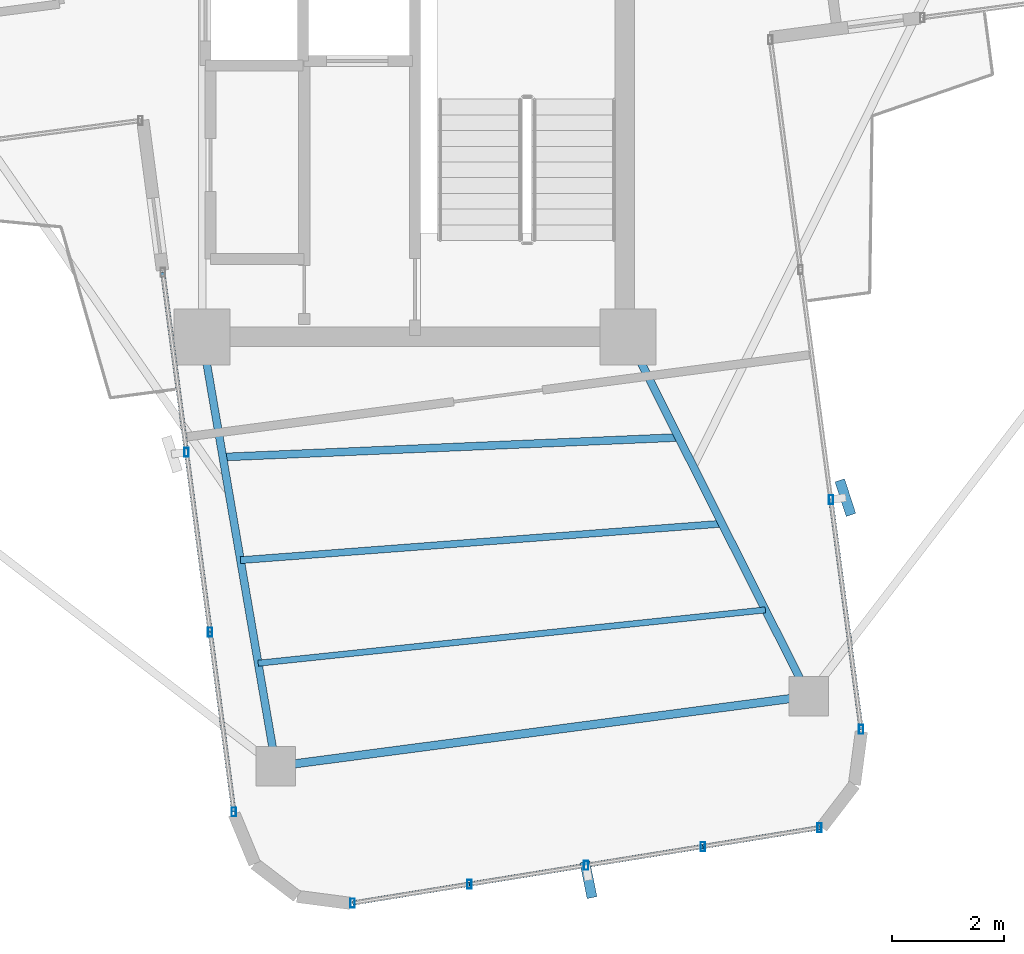
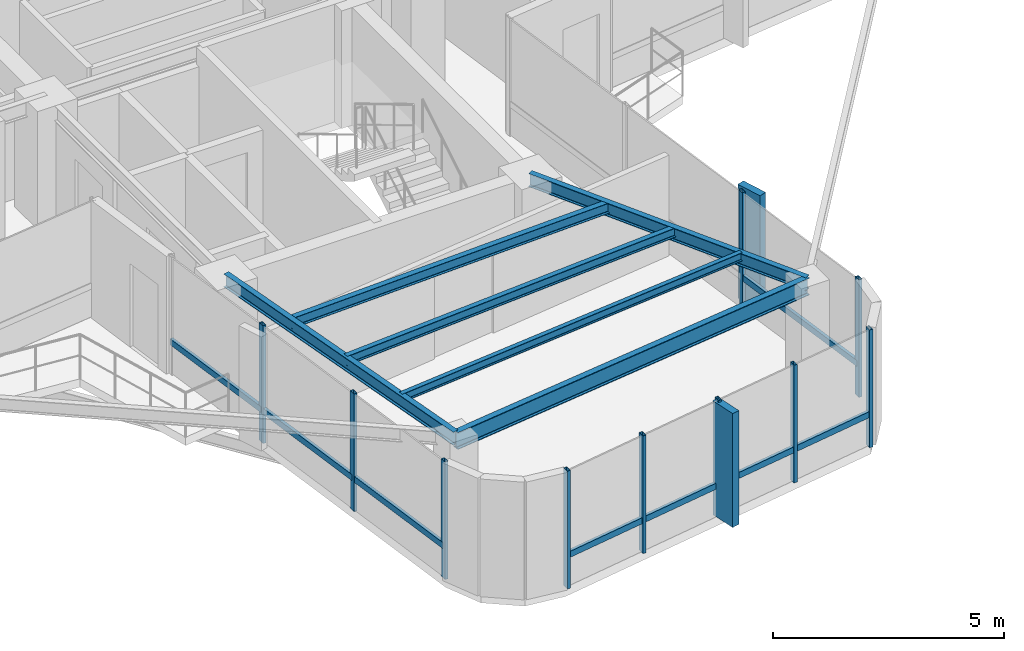
# One storey, part 4 of 21: 20 members, 6 beams, 3 elements without a shape of their own.
"""IFC4 building model written with IfcOpenShell, lengths in metres."""

from ifc_helpers import new_model, si_unit, direction, frame, origin, origin_2d, place, context, subcontext, project, spatial, rectangle, hollow_rectangle, i_section, extrude, source, transform, mapped, material, material_profile, profile_set, type_object, element, aggregate, save


model = new_model("IFC4")

# Units and contexts
model_context = context("Model", 3, precision=1e-05, world=origin(), true_north=direction((0.0, 1.0)))
body_context = subcontext(model_context, "Body", "Model", "MODEL_VIEW")
ifc_project = project(units=[si_unit("LENGTHUNIT", "METRE"), si_unit("AREAUNIT", "SQUARE_METRE"), si_unit("VOLUMEUNIT", "CUBIC_METRE"), si_unit("PLANEANGLEUNIT", "RADIAN"), si_unit("MASSUNIT", "GRAM", prefix="KILO")], contexts=[model_context])

# Site, building, storey
site_placement = place(None, origin())
site = spatial("IfcSite", under=ifc_project, at=site_placement, CompositionType="ELEMENT")
building_placement = place(site_placement, origin())
building = spatial("IfcBuilding", under=site, at=building_placement, Name="Sahyath Konkavel Grand Hotel", CompositionType="ELEMENT")
storey_placement = place(building_placement, frame((0.0, 0.0, 219.89990234375)))
storey = spatial("IfcBuildingStorey", under=building, at=storey_placement, Name="L61", CompositionType="ELEMENT", Elevation=219.89990234375)

# Beams
ifc_material_1 = material(Name="Steel E350", Category="steel")
ifc_material_profile_1 = material_profile(ifc_material_1, i_section(OverallWidth=0.139892578125, OverallDepth=0.35009765625, WebThickness=0.008056640625, FlangeThickness=0.01416015625, FilletRadius=0.013916015625, at=origin_2d()), Name="ISMB 350")
ifc_profile_set_1 = profile_set([ifc_material_profile_1], Name="Steel E350")
beam_type_1 = type_object("IfcBeamType", Name="BM-ISMB350", PredefinedType="BEAM", material=ifc_profile_set_1)
shared_shape_1 = source(origin(), body_context, "Body", "SweptSolid", [
    extrude(i_section(OverallWidth=0.139892578125, OverallDepth=0.35009765625, WebThickness=0.008056640625, FlangeThickness=0.01416015625, FilletRadius=0.013916015625, at=origin_2d()), origin(), (0.0, 0.0, 1.0), 7.776123046875),
])
beam_1_placement = place(storey_placement, frame((-3.800048828125, -10.199951171875, 2.93505859375), z_axis=(0.169035270731, -0.985610002612, 0.0), x_axis=(0.985610002612, 0.169035270731, 0.0)))
element("IfcBeam", 1, at=beam_1_placement, inside=storey, type_object=beam_type_1, Name="L61 Cruciform Radial Girder SA", PredefinedType="BEAM", context=body_context, shape_type="MappedRepresentation", body=[
    mapped(shared_shape_1, transform((0.0, 0.0, 0.0), scale=1.0)),
])
shared_shape_2 = source(origin(), body_context, "Body", "SweptSolid", [
    extrude(i_section(OverallWidth=0.139892578125, OverallDepth=0.35009765625, WebThickness=0.008056640625, FlangeThickness=0.01416015625, FilletRadius=0.013916015625, at=origin_2d()), origin(), (0.0, 0.0, 1.0), 7.177490234375),
])
beam_2_placement = place(storey_placement, frame((3.800048828125, -10.199951171875, 2.93505859375), z_axis=(0.449239757203, -0.893411238203, 0.0), x_axis=(0.893411238203, 0.449239757203, 0.0)))
element("IfcBeam", 2, at=beam_2_placement, inside=storey, type_object=beam_type_1, Name="L61 Cruciform Radial Girder SB", PredefinedType="BEAM", context=body_context, shape_type="MappedRepresentation", body=[
    mapped(shared_shape_2, transform((0.0, 0.0, 0.0), scale=1.0)),
])
ifc_material_profile_2 = material_profile(ifc_material_1, i_section(OverallWidth=0.14990234375, OverallDepth=0.449951171875, WebThickness=0.009521484375, FlangeThickness=0.017333984375, FilletRadius=0.014892578125, at=origin_2d()), Name="ISMB 450")
ifc_profile_set_2 = profile_set([ifc_material_profile_2], Name="Steel E350")
beam_type_2 = type_object("IfcBeamType", Name="BM-ISMB450", PredefinedType="BEAM", material=ifc_profile_set_2)
shared_shape_3 = source(origin(), body_context, "Body", "SweptSolid", [
    extrude(i_section(OverallWidth=0.14990234375, OverallDepth=0.449951171875, WebThickness=0.009521484375, FlangeThickness=0.017333984375, FilletRadius=0.014892578125, at=origin_2d()), origin(), (0.0, 0.0, 1.0), 9.592041015625),
])
beam_3_placement = place(storey_placement, frame((-2.485595703125, -17.8642578125, 2.885009765625), z_axis=(0.991445716873, 0.130519693891, 0.0), x_axis=(-0.130519693891, 0.991445716873, 0.0)))
element("IfcBeam", 3, at=beam_3_placement, inside=storey, type_object=beam_type_2, Name="L61 Wing Tip Edge Beam S", PredefinedType="BEAM", context=body_context, shape_type="MappedRepresentation", body=[
    mapped(shared_shape_3, transform((0.0, 0.0, 0.0), scale=1.0)),
])
ifc_material_profile_3 = material_profile(ifc_material_1, i_section(OverallWidth=0.139892578125, OverallDepth=0.27490234375, WebThickness=0.00634765625, FlangeThickness=0.0087890625, FilletRadius=0.012939453125, at=origin_2d()), Name="ISLB 275")
ifc_profile_set_3 = profile_set([ifc_material_profile_3], Name="Steel E350")
beam_type_3 = type_object("IfcBeamType", Name="BM-ISLB275", PredefinedType="BEAM", material=ifc_profile_set_3)
shared_shape_4 = source(origin(), body_context, "Body", "SweptSolid", [
    extrude(i_section(OverallWidth=0.139892578125, OverallDepth=0.27490234375, WebThickness=0.00634765625, FlangeThickness=0.0087890625, FilletRadius=0.012939453125, at=origin_2d()), origin(), (0.0, 0.0, 1.0), 8.142333984375),
])
beam_4_placement = place(storey_placement, frame((-3.431884765625, -12.345947265625, 2.97265625), z_axis=(0.999072605687, 0.043057270761, 0.0), x_axis=(-0.043057270761, 0.999072605687, 0.0)))
element("IfcBeam", 4, at=beam_4_placement, inside=storey, type_object=beam_type_3, Name="L61 Secondary Floor Beam S-1", PredefinedType="BEAM", context=body_context, shape_type="MappedRepresentation", body=[
    mapped(shared_shape_4, transform((0.0, 0.0, 0.0), scale=1.0)),
])
ifc_material_profile_4 = material_profile(ifc_material_1, i_section(OverallWidth=0.125, OverallDepth=0.25, WebThickness=0.0068359375, FlangeThickness=0.012451171875, FilletRadius=0.012939453125, at=origin_2d()), Name="ISMB 250")
ifc_profile_set_4 = profile_set([ifc_material_profile_4], Name="Steel E350")
beam_type_4 = type_object("IfcBeamType", Name="BM-ISMB250", PredefinedType="BEAM", material=ifc_profile_set_4)
shared_shape_5 = source(origin(), body_context, "Body", "SweptSolid", [
    extrude(i_section(OverallWidth=0.125, OverallDepth=0.25, WebThickness=0.0068359375, FlangeThickness=0.012451171875, FilletRadius=0.012939453125, at=origin_2d()), origin(), (0.0, 0.0, 1.0), 8.617919921875),
])
beam_5_placement = place(storey_placement, frame((-3.116455078125, -14.185302734375, 2.985107421875), z_axis=(0.997141653303, 0.075554769855, 0.0), x_axis=(-0.075554769855, 0.997141653303, 0.0)))
element("IfcBeam", 5, at=beam_5_placement, inside=storey, type_object=beam_type_4, Name="L61 Secondary Floor Beam S-2", PredefinedType="BEAM", context=body_context, shape_type="MappedRepresentation", body=[
    mapped(shared_shape_5, transform((0.0, 0.0, 0.0), scale=1.0)),
])
ifc_material_profile_5 = material_profile(ifc_material_1, i_section(OverallWidth=0.110107421875, OverallDepth=0.22509765625, WebThickness=0.006591796875, FlangeThickness=0.01171875, FilletRadius=0.011962890625, at=origin_2d()), Name="ISMB 225")
ifc_profile_set_5 = profile_set([ifc_material_profile_5], Name="Steel E350")
beam_type_5 = type_object("IfcBeamType", Name="BM-ISMB225", PredefinedType="BEAM", material=ifc_profile_set_5)
shared_shape_6 = source(origin(), body_context, "Body", "SweptSolid", [
    extrude(i_section(OverallWidth=0.110107421875, OverallDepth=0.22509765625, WebThickness=0.006591796875, FlangeThickness=0.01171875, FilletRadius=0.011962890625, at=origin_2d()), origin(), (0.0, 0.0, 1.0), 9.101318359375),
])
beam_6_placement = place(storey_placement, frame((-2.801025390625, -16.02490234375, 2.99755859375), z_axis=(0.994518379884, 0.104561905456, 0.0), x_axis=(-0.104561905456, 0.994518379884, 0.0)))
element("IfcBeam", 6, at=beam_6_placement, inside=storey, type_object=beam_type_5, Name="L61 Secondary Floor Beam S-3", PredefinedType="BEAM", context=body_context, shape_type="MappedRepresentation", body=[
    mapped(shared_shape_6, transform((0.0, 0.0, 0.0), scale=1.0)),
])

# Curtain wall, member
ifc_material_2 = material(Name="Anodised Bronze Aluminium & Low-E Glazing", Category="aluminium")
curtain_wall_type = type_object("IfcCurtainWallType", Name="CW-ZONE4", PredefinedType="NOTDEFINED", material=ifc_material_2)
curtain_wall_1_placement = place(storey_placement, origin())
curtain_wall_1 = element("IfcCurtainWall", 7, at=curtain_wall_1_placement, inside=storey, type_object=curtain_wall_type, Name="L61 Unitised Curtain Wall F28", PredefinedType="NOTDEFINED")
ifc_material_3 = material(Name="Warm Buff Sandstone Cladding on Concrete C50/60", Category="masonry")
ifc_material_profile_6 = material_profile(ifc_material_3, rectangle(XDim=0.179931640625, YDim=0.64990234375, at=origin_2d()), Name="FIN 180x650")
ifc_profile_set_6 = profile_set([ifc_material_profile_6], Name="Warm Buff Sandstone Cladding on Concrete C50/60")
member_type_1 = type_object("IfcMemberType", Name="FIN-SANDSTONE-650", PredefinedType="MULLION", material=ifc_profile_set_6)
shared_shape_7 = source(origin(), body_context, "Body", "SweptSolid", [
    extrude(rectangle(XDim=0.179931640625, YDim=0.64990234375, at=origin_2d()), origin(), (0.0, 0.0, 1.0), 3.010009765625),
])
member_1_placement = place(storey_placement, frame((3.092529296875, -19.889404296875, 0.050048828125), z_axis=(0.0, 0.0, 1.0), x_axis=(0.980028959096, 0.198854819736, 0.0)))
member_1 = element("IfcMember", 8, at=member_1_placement, type_object=member_type_1, Name="L61 Sandstone Vertical Solar Fin FIN F28-2", PredefinedType="MULLION", context=body_context, shape_type="MappedRepresentation", body=[
    mapped(shared_shape_7, transform((0.0, 0.0, 0.0), scale=1.0)),
])

curtain_wall_2_placement = place(storey_placement, origin())
curtain_wall_2 = element("IfcCurtainWall", 9, at=curtain_wall_2_placement, inside=storey, type_object=curtain_wall_type, Name="L61 Unitised Curtain Wall F31", PredefinedType="NOTDEFINED")
member_2_placement = place(storey_placement, frame((7.677734375, -13.069580078125, 0.050048828125), z_axis=(0.0, 0.0, 1.0), x_axis=(0.951487058208, 0.307688768178, 0.0)))
member_2 = element("IfcMember", 10, at=member_2_placement, type_object=member_type_1, Name="L61 Sandstone Vertical Solar Fin FIN F31-1", PredefinedType="MULLION", context=body_context, shape_type="MappedRepresentation", body=[
    mapped(shared_shape_7, transform((0.0, 0.0, 0.0), scale=1.0)),
])

# Curtain wall, members
curtain_wall_3_placement = place(storey_placement, origin())
curtain_wall_3 = element("IfcCurtainWall", 11, at=curtain_wall_3_placement, inside=storey, type_object=curtain_wall_type, Name="L61 Unitised Curtain Wall F24", PredefinedType="NOTDEFINED")
ifc_material_4 = material(Name="Anodised Bronze Aluminium", Category="aluminium")
ifc_material_profile_7 = material_profile(ifc_material_4, hollow_rectangle(XDim=0.080078125, YDim=0.159912109375, WallThickness=0.006103515625, at=origin_2d()), Name="RHS 160x80x6")
ifc_profile_set_7 = profile_set([ifc_material_profile_7], Name="Anodised Bronze Aluminium")
member_type_2 = type_object("IfcMemberType", Name="CW-MUL-160", PredefinedType="MULLION", material=ifc_profile_set_7)
shared_shape_8 = source(origin(), body_context, "Body", "SweptSolid", [
    extrude(hollow_rectangle(XDim=0.080078125, YDim=0.159912109375, WallThickness=0.006103515625, at=origin_2d()), origin(), (0.0, 0.0, 1.0), 3.110107421875),
])
member_3_placement = place(storey_placement, frame((-4.08056640625, -12.260498046875, 0.0), z_axis=(0.0, 0.0, 1.0), x_axis=(1.0, 0.0, 0.0)))
member_3 = element("IfcMember", 12, at=member_3_placement, type_object=member_type_2, Name="L61 Curtain Wall Mullion F24-1", PredefinedType="MULLION", context=body_context, shape_type="MappedRepresentation", body=[
    mapped(shared_shape_8, transform((0.0, 0.0, 0.0), scale=1.0)),
])
member_4_placement = place(storey_placement, frame((-3.657958984375, -15.4697265625, 0.0), z_axis=(0.0, 0.0, 1.0), x_axis=(1.0, 0.0, 0.0)))
member_4 = element("IfcMember", 13, at=member_4_placement, type_object=member_type_2, Name="L61 Curtain Wall Mullion F24-2", PredefinedType="MULLION", context=body_context, shape_type="MappedRepresentation", body=[
    mapped(shared_shape_8, transform((0.0, 0.0, 0.0), scale=1.0)),
])
member_5_placement = place(storey_placement, frame((-3.235595703125, -18.67919921875, 0.0), z_axis=(0.0, 0.0, 1.0), x_axis=(1.0, 0.0, 0.0)))
member_5 = element("IfcMember", 14, at=member_5_placement, type_object=member_type_2, Name="L61 Curtain Wall Mullion F24-3", PredefinedType="MULLION", context=body_context, shape_type="MappedRepresentation", body=[
    mapped(shared_shape_8, transform((0.0, 0.0, 0.0), scale=1.0)),
])

# Member
member_6_placement = place(storey_placement, frame((-1.115234375, -20.30517578125, 0.0), z_axis=(0.0, 0.0, 1.0), x_axis=(1.0, 0.0, 0.0)))
member_6 = element("IfcMember", 15, at=member_6_placement, type_object=member_type_2, Name="L61 Curtain Wall Mullion F28-0", PredefinedType="MULLION", context=body_context, shape_type="MappedRepresentation", body=[
    mapped(shared_shape_8, transform((0.0, 0.0, 0.0), scale=1.0)),
])

member_7_placement = place(storey_placement, frame((0.968017578125, -19.968994140625, 0.0), z_axis=(0.0, 0.0, 1.0), x_axis=(1.0, 0.0, 0.0)))
member_7 = element("IfcMember", 16, at=member_7_placement, type_object=member_type_2, Name="L61 Curtain Wall Mullion F28-1", PredefinedType="MULLION", context=body_context, shape_type="MappedRepresentation", body=[
    mapped(shared_shape_8, transform((0.0, 0.0, 0.0), scale=1.0)),
])

member_8_placement = place(storey_placement, frame((3.05126953125, -19.6328125, 0.0), z_axis=(0.0, 0.0, 1.0), x_axis=(1.0, 0.0, 0.0)))
member_8 = element("IfcMember", 17, at=member_8_placement, type_object=member_type_2, Name="L61 Curtain Wall Mullion F28-2", PredefinedType="MULLION", context=body_context, shape_type="MappedRepresentation", body=[
    mapped(shared_shape_8, transform((0.0, 0.0, 0.0), scale=1.0)),
])

member_9_placement = place(storey_placement, frame((5.134521484375, -19.296630859375, 0.0), z_axis=(0.0, 0.0, 1.0), x_axis=(1.0, 0.0, 0.0)))
member_9 = element("IfcMember", 18, at=member_9_placement, type_object=member_type_2, Name="L61 Curtain Wall Mullion F28-3", PredefinedType="MULLION", context=body_context, shape_type="MappedRepresentation", body=[
    mapped(shared_shape_8, transform((0.0, 0.0, 0.0), scale=1.0)),
])

member_10_placement = place(storey_placement, frame((7.217529296875, -18.96044921875, 0.0), z_axis=(0.0, 0.0, 1.0), x_axis=(1.0, 0.0, 0.0)))
member_10 = element("IfcMember", 19, at=member_10_placement, type_object=member_type_2, Name="L61 Curtain Wall Mullion F28-4", PredefinedType="MULLION", context=body_context, shape_type="MappedRepresentation", body=[
    mapped(shared_shape_8, transform((0.0, 0.0, 0.0), scale=1.0)),
])

member_11_placement = place(storey_placement, frame((7.9599609375, -17.205078125, 0.0), z_axis=(0.0, 0.0, 1.0), x_axis=(1.0, 0.0, 0.0)))
member_11 = element("IfcMember", 20, at=member_11_placement, type_object=member_type_2, Name="L61 Curtain Wall Mullion F31-0", PredefinedType="MULLION", context=body_context, shape_type="MappedRepresentation", body=[
    mapped(shared_shape_8, transform((0.0, 0.0, 0.0), scale=1.0)),
])

member_12_placement = place(storey_placement, frame((7.419921875, -13.103515625, 0.0), z_axis=(0.0, 0.0, 1.0), x_axis=(1.0, 0.0, 0.0)))
member_12 = element("IfcMember", 21, at=member_12_placement, type_object=member_type_2, Name="L61 Curtain Wall Mullion F31-1", PredefinedType="MULLION", context=body_context, shape_type="MappedRepresentation", body=[
    mapped(shared_shape_8, transform((0.0, 0.0, 0.0), scale=1.0)),
])

ifc_material_profile_8 = material_profile(ifc_material_4, hollow_rectangle(XDim=0.080078125, YDim=0.159912109375, WallThickness=0.006103515625, at=origin_2d()), Name="RHS 160x80x6")
ifc_profile_set_8 = profile_set([ifc_material_profile_8], Name="Anodised Bronze Aluminium")
member_type_3 = type_object("IfcMemberType", Name="CW-TRN-160", PredefinedType="USERDEFINED", material=ifc_profile_set_8)
shared_shape_9 = source(origin(), body_context, "Body", "SweptSolid", [
    extrude(hollow_rectangle(XDim=0.080078125, YDim=0.159912109375, WallThickness=0.006103515625, at=origin_2d()), origin(), (0.0, 0.0, 1.0), 3.23681640625),
])
member_13_placement = place(storey_placement, frame((-4.503173828125, -9.05126953125, 0.85009765625), z_axis=(0.130557917404, -0.991440684158, 0.0), x_axis=(0.991440684158, 0.130557917404, 0.0)))
member_13 = element("IfcMember", 22, at=member_13_placement, type_object=member_type_3, Name="L61 Curtain Wall Transom F24-0-spandrel", ObjectType="TRANSOM", PredefinedType="USERDEFINED", context=body_context, shape_type="MappedRepresentation", body=[
    mapped(shared_shape_9, transform((0.0, 0.0, 0.0), scale=1.0)),
])

member_14_placement = place(storey_placement, frame((-4.08056640625, -12.260498046875, 0.85009765625), z_axis=(0.130557917404, -0.991440684158, 0.0), x_axis=(0.991440684158, 0.130557917404, 0.0)))
member_14 = element("IfcMember", 23, at=member_14_placement, type_object=member_type_3, Name="L61 Curtain Wall Transom F24-1-spandrel", ObjectType="TRANSOM", PredefinedType="USERDEFINED", context=body_context, shape_type="MappedRepresentation", body=[
    mapped(shared_shape_9, transform((0.0, 0.0, 0.0), scale=1.0)),
])

shared_shape_10 = source(origin(), body_context, "Body", "SweptSolid", [
    extrude(hollow_rectangle(XDim=0.080078125, YDim=0.159912109375, WallThickness=0.006103515625, at=origin_2d()), origin(), (0.0, 0.0, 1.0), 3.237060546875),
])
member_15_placement = place(storey_placement, frame((-3.657958984375, -15.4697265625, 0.85009765625), z_axis=(0.130474021759, -0.991451728349, 0.0), x_axis=(0.991451728349, 0.130474021759, 0.0)))
member_15 = element("IfcMember", 24, at=member_15_placement, type_object=member_type_3, Name="L61 Curtain Wall Transom F24-2-spandrel", ObjectType="TRANSOM", PredefinedType="USERDEFINED", context=body_context, shape_type="MappedRepresentation", body=[
    mapped(shared_shape_10, transform((0.0, 0.0, 0.0), scale=1.0)),
])

aggregate(curtain_wall_3, [member_3, member_4, member_5, member_13, member_14, member_15])

shared_shape_11 = source(origin(), body_context, "Body", "SweptSolid", [
    extrude(hollow_rectangle(XDim=0.080078125, YDim=0.159912109375, WallThickness=0.006103515625, at=origin_2d()), origin(), (0.0, 0.0, 1.0), 2.110107421875),
])
member_16_placement = place(storey_placement, frame((-1.115234375, -20.30517578125, 0.85009765625), z_axis=(0.987228210283, 0.159312462857, 0.0), x_axis=(-0.159312462857, 0.987228210283, 0.0)))
member_16 = element("IfcMember", 25, at=member_16_placement, type_object=member_type_3, Name="L61 Curtain Wall Transom F28-0-spandrel", ObjectType="TRANSOM", PredefinedType="USERDEFINED", context=body_context, shape_type="MappedRepresentation", body=[
    mapped(shared_shape_11, transform((0.0, 0.0, 0.0), scale=1.0)),
])

member_17_placement = place(storey_placement, frame((0.968017578125, -19.968994140625, 0.85009765625), z_axis=(0.987228210283, 0.159312462857, 0.0), x_axis=(-0.159312462857, 0.987228210283, 0.0)))
member_17 = element("IfcMember", 26, at=member_17_placement, type_object=member_type_3, Name="L61 Curtain Wall Transom F28-1-spandrel", ObjectType="TRANSOM", PredefinedType="USERDEFINED", context=body_context, shape_type="MappedRepresentation", body=[
    mapped(shared_shape_11, transform((0.0, 0.0, 0.0), scale=1.0)),
])

member_18_placement = place(storey_placement, frame((3.05126953125, -19.6328125, 0.85009765625), z_axis=(0.987228210283, 0.159312462857, 0.0), x_axis=(-0.159312462857, 0.987228210283, 0.0)))
member_18 = element("IfcMember", 27, at=member_18_placement, type_object=member_type_3, Name="L61 Curtain Wall Transom F28-2-spandrel", ObjectType="TRANSOM", PredefinedType="USERDEFINED", context=body_context, shape_type="MappedRepresentation", body=[
    mapped(shared_shape_11, transform((0.0, 0.0, 0.0), scale=1.0)),
])

shared_shape_12 = source(origin(), body_context, "Body", "SweptSolid", [
    extrude(hollow_rectangle(XDim=0.080078125, YDim=0.159912109375, WallThickness=0.006103515625, at=origin_2d()), origin(), (0.0, 0.0, 1.0), 2.10986328125),
])
member_19_placement = place(storey_placement, frame((5.134521484375, -19.296630859375, 0.85009765625), z_axis=(0.987225273379, 0.15933066121, 0.0), x_axis=(-0.15933066121, 0.987225273379, 0.0)))
member_19 = element("IfcMember", 28, at=member_19_placement, type_object=member_type_3, Name="L61 Curtain Wall Transom F28-3-spandrel", ObjectType="TRANSOM", PredefinedType="USERDEFINED", context=body_context, shape_type="MappedRepresentation", body=[
    mapped(shared_shape_12, transform((0.0, 0.0, 0.0), scale=1.0)),
])

aggregate(curtain_wall_1, [member_6, member_7, member_8, member_1, member_9, member_10, member_16, member_17, member_18, member_19])

shared_shape_13 = source(origin(), body_context, "Body", "SweptSolid", [
    extrude(hollow_rectangle(XDim=0.080078125, YDim=0.159912109375, WallThickness=0.006103515625, at=origin_2d()), origin(), (0.0, 0.0, 1.0), 4.136962890625),
])
member_20_placement = place(storey_placement, frame((7.9599609375, -17.205078125, 0.85009765625), z_axis=(-0.130540000708, 0.991443043354, 0.0), x_axis=(-0.991443043354, -0.130540000708, 0.0)))
member_20 = element("IfcMember", 29, at=member_20_placement, type_object=member_type_3, Name="L61 Curtain Wall Transom F31-0-spandrel", ObjectType="TRANSOM", PredefinedType="USERDEFINED", context=body_context, shape_type="MappedRepresentation", body=[
    mapped(shared_shape_13, transform((0.0, 0.0, 0.0), scale=1.0)),
])

aggregate(curtain_wall_2, [member_11, member_12, member_2, member_20])

save(model, "model.ifc")
